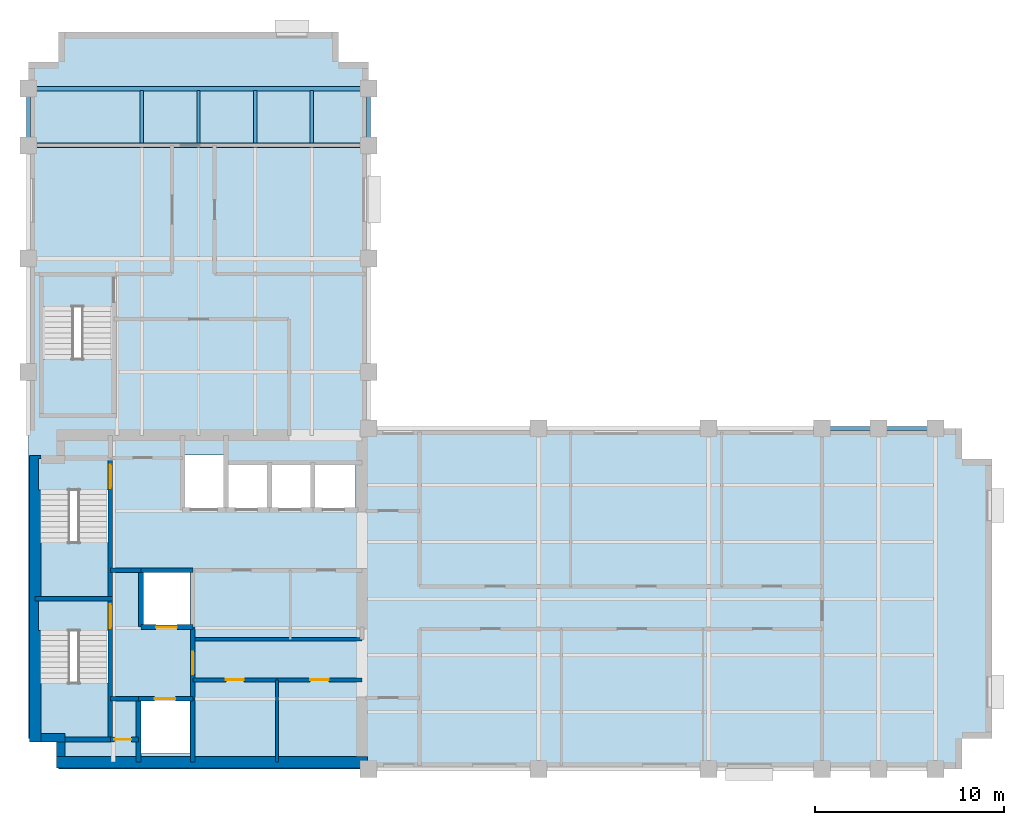
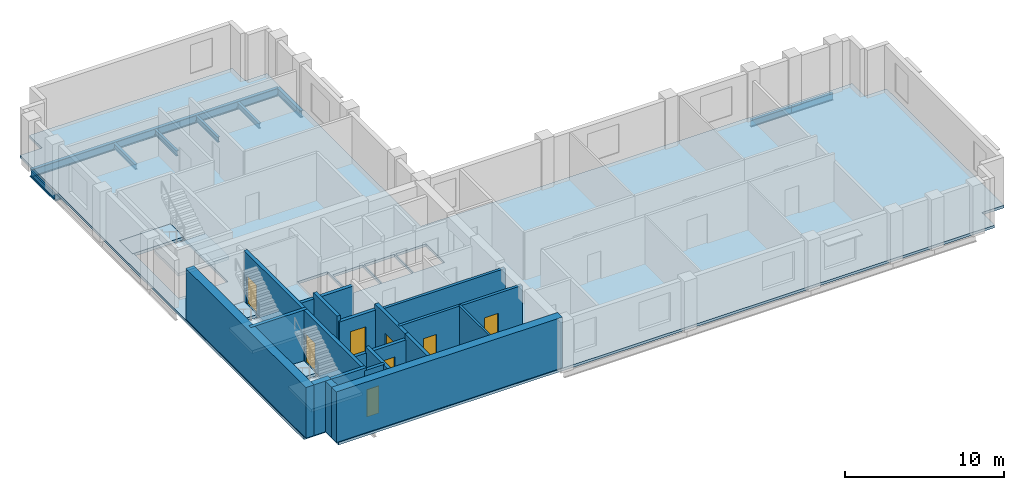
# One storey, part 2 of 6: 22 walls, 10 beams, 8 doors, 7 slabs, 8 openings, 3 elements without a shape of their own.
"""IFC4 building model written with IfcOpenShell, lengths in metres."""

from ifc_helpers import new_model, si_unit, direction, frame, frame_2d, origin, origin_2d, place, context, subcontext, project, spatial, polyline, rectangle, i_section, outline, extrude, material, layer, layer_set, material_profile, profile_set, type_object, element, fill, aggregate, save


model = new_model("IFC4")

# Units and contexts
model_context = context("Model", 3, precision=1e-05, world=origin(), true_north=direction((0.0, 1.0)))
body_context = subcontext(model_context, "Body", "Model", "MODEL_VIEW")
ifc_project = project(units=[si_unit("LENGTHUNIT", "METRE"), si_unit("AREAUNIT", "SQUARE_METRE"), si_unit("VOLUMEUNIT", "CUBIC_METRE"), si_unit("PLANEANGLEUNIT", "RADIAN"), si_unit("MASSUNIT", "GRAM", prefix="KILO")], contexts=[model_context])

# Site, building, storey
site_placement = place(None, origin())
site = spatial("IfcSite", under=ifc_project, at=site_placement, CompositionType="ELEMENT")
building_placement = place(site_placement, origin())
building = spatial("IfcBuilding", under=site, at=building_placement, Name="Mawjdan Bourse Tower", CompositionType="ELEMENT")
storey_placement = place(building_placement, frame((0.0, 0.0, 215.10009765625)))
storey = spatial("IfcBuildingStorey", under=building, at=storey_placement, Name="L52", CompositionType="ELEMENT", Elevation=215.10009765625)

# Beams
ifc_material_1 = material(Name="Structural Steel S355", Category="steel")
ifc_material_profile_1 = material_profile(ifc_material_1, i_section(OverallWidth=0.22998046875, OverallDepth=0.616943359375, WebThickness=0.01318359375, FlangeThickness=0.022216796875, FilletRadius=0.017822265625, at=origin_2d()), Name="W24X94")
ifc_profile_set_1 = profile_set([ifc_material_profile_1], Name="Structural Steel S355")
beam_type_1 = type_object("IfcBeamType", Name="GRD-W24X94", PredefinedType="BEAM", material=ifc_profile_set_1)
for number, where, z_axis, x_axis, name in (
    (1, (6.0, 36.0, -0.508544921875), (1.0, 0.0, 0.0), (0.0, 1.0, 0.0), "L52 North Wing Clear-Span Girder 049"),
    (2, (6.0, 39.0, -0.508544921875), (1.0, 0.0, 0.0), (0.0, 1.0, 0.0), "L52 North Wing Clear-Span Girder 050"),
):
    element("IfcBeam", number, at=place(storey_placement, frame(where, z_axis=z_axis, x_axis=x_axis)), inside=storey, type_object=beam_type_1, Name=name, PredefinedType="BEAM", context=body_context, shape_type="SweptSolid", body=[
        extrude(i_section(OverallWidth=0.22998046875, OverallDepth=0.616943359375, WebThickness=0.01318359375, FlangeThickness=0.022216796875, FilletRadius=0.017822265625, at=origin_2d()), origin(), (0.0, 0.0, 1.0), 18.0),
    ])
ifc_material_profile_2 = material_profile(ifc_material_1, i_section(OverallWidth=0.177978515625, OverallDepth=0.406982421875, WebThickness=0.0078125, FlangeThickness=0.0126953125, FilletRadius=0.01025390625, at=origin_2d()), Name="W16X40")
ifc_profile_set_2 = profile_set([ifc_material_profile_2], Name="Structural Steel S355")
beam_type_2 = type_object("IfcBeamType", Name="JST-W16X40", PredefinedType="JOIST", material=ifc_profile_set_2)
for number, where, z_axis, x_axis, name in (
    (3, (12.0, 36.113037109375, -0.403564453125), (0.0, 1.0, 0.0), (-1.0, 0.0, 0.0), "L52 North Wing Composite Joist 062"),
    (4, (15.0, 36.113037109375, -0.403564453125), (0.0, 1.0, 0.0), (-1.0, 0.0, 0.0), "L52 North Wing Composite Joist 066"),
    (5, (18.0, 36.113037109375, -0.403564453125), (0.0, 1.0, 0.0), (-1.0, 0.0, 0.0), "L52 North Wing Composite Joist 070"),
    (6, (21.0, 36.113037109375, -0.403564453125), (0.0, 1.0, 0.0), (-1.0, 0.0, 0.0), "L52 North Wing Composite Joist 074"),
):
    element("IfcBeam", number, at=place(storey_placement, frame(where, z_axis=z_axis, x_axis=x_axis)), inside=storey, type_object=beam_type_2, Name=name, PredefinedType="JOIST", context=body_context, shape_type="SweptSolid", body=[
        extrude(i_section(OverallWidth=0.177978515625, OverallDepth=0.406982421875, WebThickness=0.0078125, FlangeThickness=0.0126953125, FilletRadius=0.01025390625, at=origin_2d()), origin(), (0.0, 0.0, 1.0), 2.77392578125),
    ])
ifc_material_profile_3 = material_profile(ifc_material_1, i_section(OverallWidth=0.2099609375, OverallDepth=0.537109375, WebThickness=0.010986328125, FlangeThickness=0.017333984375, FilletRadius=0.013916015625, at=origin_2d()), Name="W21X68")
ifc_profile_set_3 = profile_set([ifc_material_profile_3], Name="Structural Steel S355")
beam_type_3 = type_object("IfcBeamType", Name="SPN-W21X68", PredefinedType="SPANDREL", material=ifc_profile_set_3)
for number, where, z_axis, x_axis, name in (
    (7, (48.0, 21.0, -0.468505859375), (1.0, 0.0, 0.0), (0.0, 1.0, 0.0), "L52 Perimeter Masonry-Shelf Spandrel 015"),
    (8, (51.0, 21.0, -0.468505859375), (1.0, 0.0, 0.0), (0.0, 1.0, 0.0), "L52 Perimeter Masonry-Shelf Spandrel 016"),
    (9, (6.0, 36.0, -0.468505859375), (0.0, 1.0, 0.0), (-1.0, 0.0, 0.0), "L52 North Wing Spandrel 054"),
    (10, (24.0, 36.0, -0.468505859375), (0.0, 1.0, 0.0), (-1.0, 0.0, 0.0), "L52 North Wing Spandrel 058"),
):
    element("IfcBeam", number, at=place(storey_placement, frame(where, z_axis=z_axis, x_axis=x_axis)), inside=storey, type_object=beam_type_3, Name=name, PredefinedType="SPANDREL", context=body_context, shape_type="SweptSolid", body=[
        extrude(i_section(OverallWidth=0.2099609375, OverallDepth=0.537109375, WebThickness=0.010986328125, FlangeThickness=0.017333984375, FilletRadius=0.013916015625, at=origin_2d()), origin(), (0.0, 0.0, 1.0), 3.0),
    ])

# Stair, slabs
ifc_material_2 = material(Name="Concrete C50/60", Category="concrete")
stair_type = type_object("IfcStairType", Name="STR-CORE-1500", PredefinedType="HALF_TURN_STAIR", material=ifc_material_2)
stair_1_placement = place(storey_placement, origin())
stair_1 = element("IfcStair", 11, at=stair_1_placement, inside=storey, type_object=stair_type, Name="L52 Exit Stair 1 (Core South-West)", PredefinedType="HALF_TURN_STAIR")
ifc_layer_1 = layer(ifc_material_2, 0.22998046875)
ifc_layer_set_1 = layer_set([ifc_layer_1], Name="Concrete C50/60")
slab_type_1 = type_object("IfcSlabType", Name="SL-LND-230", PredefinedType="LANDING", material=ifc_layer_set_1)
slab_1_placement = place(storey_placement, frame((0.0, 0.0, -0.22998046875)))
slab_1 = element("IfcSlab", 12, at=slab_1_placement, type_object=slab_type_1, Name="ST1-L52 landing 1", PredefinedType="LANDING", context=body_context, shape_type="SweptSolid", body=[
    extrude(outline(polyline([(6.5400390625, 10.31005859375), (10.260009765625, 10.31005859375), (10.260009765625, 11.969970703125), (6.5400390625, 11.969970703125), (6.5400390625, 10.31005859375)])), origin(), (0.0, 0.0, 1.0), 0.22998046875),
])
slab_2_placement = place(storey_placement, frame((0.0, 0.0, 1.719970703125)))
slab_2 = element("IfcSlab", 13, at=slab_2_placement, type_object=slab_type_1, Name="ST1-L52 landing 2", PredefinedType="LANDING", context=body_context, shape_type="SweptSolid", body=[
    extrude(outline(polyline([(6.5400390625, 4.590087890625), (10.260009765625, 4.590087890625), (10.260009765625, 7.5400390625), (6.5400390625, 7.5400390625), (6.5400390625, 4.590087890625)])), origin(), (0.0, 0.0, 1.0), 0.22998046875),
])
aggregate(stair_1, [slab_1, slab_2])

stair_2_placement = place(storey_placement, origin())
stair_2 = element("IfcStair", 14, at=stair_2_placement, inside=storey, type_object=stair_type, Name="L52 Exit Stair 2 (Core North-West)", PredefinedType="HALF_TURN_STAIR")
slab_3_placement = place(storey_placement, frame((0.0, 0.0, -0.22998046875)))
slab_3 = element("IfcSlab", 15, at=slab_3_placement, type_object=slab_type_1, Name="ST2-L52 landing 1", PredefinedType="LANDING", context=body_context, shape_type="SweptSolid", body=[
    extrude(outline(polyline([(6.5400390625, 17.75), (10.260009765625, 17.75), (10.260009765625, 19.409912109375), (6.5400390625, 19.409912109375), (6.5400390625, 17.75)])), origin(), (0.0, 0.0, 1.0), 0.22998046875),
])
slab_4_placement = place(storey_placement, frame((0.0, 0.0, 1.719970703125)))
slab_4 = element("IfcSlab", 16, at=slab_4_placement, type_object=slab_type_1, Name="ST2-L52 landing 2", PredefinedType="LANDING", context=body_context, shape_type="SweptSolid", body=[
    extrude(outline(polyline([(6.5400390625, 12.030029296875), (10.260009765625, 12.030029296875), (10.260009765625, 14.97998046875), (6.5400390625, 14.97998046875), (6.5400390625, 12.030029296875)])), origin(), (0.0, 0.0, 1.0), 0.22998046875),
])
aggregate(stair_2, [slab_3, slab_4])

stair_3_placement = place(storey_placement, origin())
stair_3 = element("IfcStair", 17, at=stair_3_placement, inside=storey, type_object=stair_type, Name="L52 Exit Stair 3 (North Wing)", PredefinedType="HALF_TURN_STAIR")
slab_5_placement = place(storey_placement, frame((0.0, 0.0, -0.22998046875)))
slab_5 = element("IfcSlab", 18, at=slab_5_placement, type_object=slab_type_1, Name="ST3-L52 landing 1", PredefinedType="LANDING", context=body_context, shape_type="SweptSolid", body=[
    extrude(outline(polyline([(6.739990234375, 27.4599609375), (10.4599609375, 27.4599609375), (10.4599609375, 29.1201171875), (6.739990234375, 29.1201171875), (6.739990234375, 27.4599609375)])), origin(), (0.0, 0.0, 1.0), 0.22998046875),
])
slab_6_placement = place(storey_placement, frame((0.0, 0.0, 1.719970703125)))
slab_6 = element("IfcSlab", 19, at=slab_6_placement, type_object=slab_type_1, Name="ST3-L52 landing 2", PredefinedType="LANDING", context=body_context, shape_type="SweptSolid", body=[
    extrude(outline(polyline([(6.739990234375, 21.739990234375), (10.4599609375, 21.739990234375), (10.4599609375, 24.68994140625), (6.739990234375, 24.68994140625), (6.739990234375, 21.739990234375)])), origin(), (0.0, 0.0, 1.0), 0.22998046875),
])
aggregate(stair_3, [slab_5, slab_6])

# Slab
ifc_layer_2 = layer(ifc_material_2, 0.199951171875)
ifc_layer_set_2 = layer_set([ifc_layer_2], Name="Concrete C50/60")
slab_type_2 = type_object("IfcSlabType", Name="SL-OFC-200", PredefinedType="FLOOR", material=ifc_layer_set_2)
slab_7_placement = place(storey_placement, frame((0.0, 0.0, -0.2001953125)))
element("IfcSlab", 20, at=slab_7_placement, inside=storey, type_object=slab_type_2, Name="L52 Structural Floor Slab 1", PredefinedType="FLOOR", context=body_context, shape_type="SweptSolid", body=[
    extrude(outline(polyline([(7.60009765625, 3.0), (55.39990234375, 3.0), (55.39990234375, 4.60009765625), (57.0, 4.60009765625), (57.0, 19.39990234375), (55.39990234375, 19.39990234375), (55.39990234375, 21.0), (24.0, 21.0), (24.0, 40.39990234375), (22.39990234375, 40.39990234375), (22.39990234375, 42.0), (7.60009765625, 42.0), (7.60009765625, 40.39990234375), (6.0, 40.39990234375), (6.0, 4.60009765625), (7.60009765625, 4.60009765625), (7.60009765625, 3.0)]), holes=[polyline([(6.5400390625, 11.969970703125), (10.260009765625, 11.969970703125), (10.260009765625, 10.31005859375), (10.199951171875, 10.31005859375), (10.199951171875, 4.64990234375), (6.60009765625, 4.64990234375), (6.60009765625, 10.31005859375), (6.5400390625, 10.31005859375), (6.5400390625, 11.969970703125)]), polyline([(6.60009765625, 12.090087890625), (6.60009765625, 17.75), (6.5400390625, 17.75), (6.5400390625, 19.409912109375), (10.260009765625, 19.409912109375), (10.260009765625, 17.75), (10.199951171875, 17.75), (10.199951171875, 12.090087890625), (6.60009765625, 12.090087890625)]), polyline([(10.4599609375, 29.1201171875), (10.4599609375, 27.4599609375), (10.39990234375, 27.4599609375), (10.39990234375, 21.800048828125), (6.800048828125, 21.800048828125), (6.800048828125, 27.4599609375), (6.739990234375, 27.4599609375), (6.739990234375, 29.1201171875), (10.4599609375, 29.1201171875)]), polyline([(14.550048828125, 3.800048828125), (11.949951171875, 3.800048828125), (11.949951171875, 6.60009765625), (14.550048828125, 6.60009765625), (14.550048828125, 3.800048828125)]), polyline([(12.050048828125, 10.60009765625), (12.050048828125, 13.39990234375), (14.550048828125, 13.39990234375), (14.550048828125, 10.60009765625), (12.050048828125, 10.60009765625)]), polyline([(16.5, 16.800048828125), (16.5, 19.14990234375), (18.699951171875, 19.14990234375), (18.699951171875, 16.800048828125), (16.5, 16.800048828125)]), polyline([(21.0, 16.800048828125), (18.800048828125, 16.800048828125), (18.800048828125, 19.14990234375), (21.0, 19.14990234375), (21.0, 16.800048828125)]), polyline([(21.10009765625, 16.800048828125), (21.10009765625, 19.14990234375), (23.300048828125, 19.14990234375), (23.300048828125, 16.800048828125), (21.10009765625, 16.800048828125)]), polyline([(14.199951171875, 16.800048828125), (14.199951171875, 19.60009765625), (16.39990234375, 19.60009765625), (16.39990234375, 16.800048828125), (14.199951171875, 16.800048828125)])]), origin(), (0.0, 0.0, 1.0), 0.2001953125),
])

# Wall, opening, door
ifc_material_3 = material(Name="Gypsum Fireboard Assembly")
ifc_layer_3 = layer(ifc_material_3, 0.199951171875)
ifc_layer_set_3 = layer_set([ifc_layer_3], Name="Gypsum Fireboard Assembly")
wall_type_1 = type_object("IfcWallType", Name="WL-CMP-200", PredefinedType="PARTITIONING", material=ifc_layer_set_3)
wall_1_placement = place(storey_placement, frame((14.699951171875, 7.699951171875, 0.0), z_axis=(0.0, 0.0, 1.0), x_axis=(1.0, 0.0, 0.0)))
wall_1 = element("IfcWall", 21, at=wall_1_placement, inside=storey, type_object=wall_type_1, Name="L52 Staff Tea Pantry North Wall", PredefinedType="PARTITIONING", context=body_context, shape_type="SweptSolid", body=[
    extrude(rectangle(XDim=4.449951171875, YDim=0.199951171875, at=frame_2d((2.22509765625, 0.0))), origin(), (0.0, 0.0, 1.0), 3.68994140625),
])
opening_1_placement = place(wall_1_placement, frame((1.75, 0.0, 0.0)))
opening_1 = element("IfcOpeningElement", 22, at=opening_1_placement, cuts=wall_1, Name="Opening D-L52-13", PredefinedType="OPENING", context=body_context, shape_type="SweptSolid", body=[
    extrude(rectangle(XDim=0.949951171875, YDim=2.10009765625, at=frame_2d((0.47509765625, 1.050048828125))), frame((0.0, 0.10986328125, 0.0), z_axis=(0.0, -1.0, 0.0), x_axis=(1.0, 0.0, 0.0)), (0.0, 0.0, 1.0), 0.219970703125),
])
ifc_material_4 = material(Name="Moisture-Resistant Laminate Timber", Category="wood")
door_type_1 = type_object("IfcDoorType", Name="DR-WET-0950", OperationType="NOTDEFINED", PredefinedType="DOOR", material=ifc_material_4)
door_1_placement = place(opening_1_placement, origin())
door_1 = element("IfcDoor", 23, at=door_1_placement, inside=storey, type_object=door_type_1, Name="L52 Staff Tea Pantry Door D-L52-13", OperationType="SINGLE_SWING_LEFT", OverallHeight=2.10009765625, OverallWidth=0.949951171875, PredefinedType="DOOR", context=body_context, shape_type="SweptSolid", body=[
    extrude(rectangle(XDim=0.949951171875, YDim=2.10009765625, at=frame_2d((0.47509765625, 1.050048828125))), frame((0.0, 0.02490234375, 0.0), z_axis=(0.0, -1.0, 0.0), x_axis=(1.0, 0.0, 0.0)), (0.0, 0.0, 1.0), 0.050048828125),
])
fill(opening_1, door_1)

wall_2_placement = place(storey_placement, frame((19.14990234375, 7.699951171875, 0.0), z_axis=(0.0, 0.0, 1.0), x_axis=(1.0, 0.0, 0.0)))
wall_2 = element("IfcWall", 24, at=wall_2_placement, inside=storey, type_object=wall_type_1, Name="L52 Document Custody Office North Wall", PredefinedType="PARTITIONING", context=body_context, shape_type="SweptSolid", body=[
    extrude(rectangle(XDim=4.5, YDim=0.199951171875, at=frame_2d((2.25, 0.0))), origin(), (0.0, 0.0, 1.0), 3.68994140625),
])
opening_2_placement = place(wall_2_placement, frame((1.75, 0.0, 0.0)))
opening_2 = element("IfcOpeningElement", 25, at=opening_2_placement, cuts=wall_2, Name="Opening D-L52-14", PredefinedType="OPENING", context=body_context, shape_type="SweptSolid", body=[
    extrude(rectangle(XDim=1.0, YDim=2.14990234375, at=frame_2d((0.5, 1.074951171875))), frame((0.0, 0.10986328125, 0.0), z_axis=(0.0, -1.0, 0.0), x_axis=(1.0, 0.0, 0.0)), (0.0, 0.0, 1.0), 0.219970703125),
])
ifc_material_5 = material(Name="Hardwood Acoustic Leaf", Category="wood")
door_type_2 = type_object("IfcDoorType", Name="DR-OFC-1000", OperationType="NOTDEFINED", PredefinedType="DOOR", material=ifc_material_5)
door_2_placement = place(opening_2_placement, origin())
door_2 = element("IfcDoor", 26, at=door_2_placement, inside=storey, type_object=door_type_2, Name="L52 Document Custody Office Door D-L52-14", OperationType="SINGLE_SWING_RIGHT", OverallHeight=2.14990234375, OverallWidth=1.0, PredefinedType="DOOR", context=body_context, shape_type="SweptSolid", body=[
    extrude(rectangle(XDim=1.0, YDim=2.14990234375, at=frame_2d((0.5, 1.074951171875))), frame((0.0, 0.02490234375, 0.0), z_axis=(0.0, -1.0, 0.0), x_axis=(1.0, 0.0, 0.0)), (0.0, 0.0, 1.0), 0.050048828125),
])
fill(opening_2, door_2)

# Walls
wall_3_placement = place(storey_placement, frame((14.824951171875, 9.85009765625, 0.0), z_axis=(0.0, 0.0, 1.0), x_axis=(1.0, 0.0, 0.0)))
element("IfcWall", 27, at=wall_3_placement, inside=storey, type_object=wall_type_1, Name="L52 Core Restroom Suite South Wall", PredefinedType="PARTITIONING", context=body_context, shape_type="SweptSolid", body=[
    extrude(rectangle(XDim=8.824951171875, YDim=0.199951171875, at=frame_2d((4.41259765625, 0.0))), origin(), (0.0, 0.0, 1.0), 3.68994140625),
])
ifc_material_6 = material(Name="Concrete C60/75", Category="concrete")
ifc_layer_4 = layer(ifc_material_6, 0.449951171875)
ifc_layer_set_4 = layer_set([ifc_layer_4], Name="Concrete C60/75")
wall_type_2 = type_object("IfcWallType", Name="WL-CORE-450", PredefinedType="SHEAR", material=ifc_layer_set_4)
wall_4_placement = place(storey_placement, frame((6.64990234375, 4.64990234375, 0.0), z_axis=(0.0, 0.0, 1.0), x_axis=(1.0, 0.0, 0.0)))
element("IfcWall", 28, at=wall_4_placement, inside=storey, type_object=wall_type_2, Name="L52 Rear Core Shear Wall SW-X", PredefinedType="SHEAR", context=body_context, shape_type="SweptSolid", body=[
    extrude(rectangle(XDim=1.275146484375, YDim=0.449951171875, at=frame_2d((0.6376953125, 0.0))), origin(), (0.0, 0.0, 1.0), 3.89990234375),
])
wall_5_placement = place(storey_placement, frame((7.699951171875, 3.64990234375, 0.0), z_axis=(0.0, 0.0, 1.0), x_axis=(0.0, 1.0, 0.0)))
element("IfcWall", 29, at=wall_5_placement, inside=storey, type_object=wall_type_2, Name="L52 Rear Core Shear Wall SW-Y", PredefinedType="SHEAR", context=body_context, shape_type="SweptSolid", body=[
    extrude(rectangle(XDim=0.775146484375, YDim=0.449951171875, at=frame_2d((0.3876953125, 0.0))), origin(), (0.0, 0.0, 1.0), 3.89990234375),
])
ifc_material_7 = material(Name="Concrete C70/85", Category="concrete")
ifc_layer_5 = layer(ifc_material_7, 0.60009765625)
ifc_layer_set_5 = layer_set([ifc_layer_5], Name="Concrete C70/85")
wall_type_3 = type_object("IfcWallType", Name="WL-CORE-600", PredefinedType="SHEAR", material=ifc_layer_set_5)
wall_6_placement = place(storey_placement, frame((7.47509765625, 3.35009765625, 0.0), z_axis=(0.0, 0.0, 1.0), x_axis=(1.0, 0.0, 0.0)))
element("IfcWall", 30, at=wall_6_placement, inside=storey, type_object=wall_type_3, Name="L52 Rear Core Shear Wall S", PredefinedType="SHEAR", context=body_context, shape_type="SweptSolid", body=[
    extrude(rectangle(XDim=16.474853515625, YDim=0.60009765625, at=frame_2d((8.2373046875, 0.0))), origin(), (0.0, 0.0, 1.0), 3.89990234375),
])
wall_7_placement = place(storey_placement, frame((6.35009765625, 4.425048828125, 0.0), z_axis=(0.0, 0.0, 1.0), x_axis=(0.0, 1.0, 0.0)))
element("IfcWall", 31, at=wall_7_placement, inside=storey, type_object=wall_type_3, Name="L52 Rear Core Shear Wall W", PredefinedType="SHEAR", context=body_context, shape_type="SweptSolid", body=[
    extrude(rectangle(XDim=15.14990234375, YDim=0.60009765625, at=frame_2d((7.574951171875, 0.0))), origin(), (0.0, 0.0, 1.0), 3.89990234375),
])
ifc_material_8 = material(Name="Gypsum Acoustic Partition")
ifc_layer_6 = layer(ifc_material_8, 0.14990234375)
ifc_layer_set_6 = layer_set([ifc_layer_6], Name="Gypsum Acoustic Partition")
wall_type_4 = type_object("IfcWallType", Name="WL-PRT-150", PredefinedType="PARTITIONING", material=ifc_layer_set_6)
wall_8_placement = place(storey_placement, frame((19.14990234375, 3.35009765625, 0.0), z_axis=(0.0, 0.0, 1.0), x_axis=(0.0, 1.0, 0.0)))
element("IfcWall", 32, at=wall_8_placement, inside=storey, type_object=wall_type_4, Name="L52 Document Custody Office Core Split Wall", PredefinedType="PARTITIONING", context=body_context, shape_type="SweptSolid", body=[
    extrude(rectangle(XDim=4.349853515625, YDim=0.14990234375, at=frame_2d((2.1748046875, 0.0))), origin(), (0.0, 0.0, 1.0), 3.68994140625),
])

# Wall, opening, door
ifc_layer_7 = layer(ifc_material_2, 0.25)
ifc_layer_set_7 = layer_set([ifc_layer_7], Name="Concrete C50/60")
wall_type_5 = type_object("IfcWallType", Name="WL-SHFT-250", PredefinedType="PARTITIONING", material=ifc_layer_set_7)
wall_9_placement = place(storey_placement, frame((10.330078125, 4.550048828125, 0.0), z_axis=(0.0, 0.0, 1.0), x_axis=(1.0, 0.0, 0.0)))
wall_9 = element("IfcWall", 33, at=wall_9_placement, inside=storey, type_object=wall_type_5, Name="L52 SW Riser North Wall", PredefinedType="PARTITIONING", context=body_context, shape_type="SweptSolid", body=[
    extrude(rectangle(XDim=1.489990234375, YDim=0.25, at=frame_2d((0.7451171875, 0.0))), origin(), (0.0, 0.0, 1.0), 3.68994140625),
])
opening_3_placement = place(wall_9_placement, frame((0.219970703125, 0.0, 0.0)))
opening_3 = element("IfcOpeningElement", 34, at=opening_3_placement, cuts=wall_9, Name="Opening RD-L52-03", PredefinedType="OPENING", context=body_context, shape_type="SweptSolid", body=[
    extrude(rectangle(XDim=0.89990234375, YDim=2.10009765625, at=frame_2d((0.449951171875, 1.050048828125))), frame((0.0, 0.135009765625, 0.0), z_axis=(0.0, -1.0, 0.0), x_axis=(1.0, 0.0, 0.0)), (0.0, 0.0, 1.0), 0.27001953125),
])
ifc_material_9 = material(Name="Fire-Rated Steel Access Leaf", Category="steel")
door_type_3 = type_object("IfcDoorType", Name="FD-RSR-0900", OperationType="NOTDEFINED", PredefinedType="TRAPDOOR", material=ifc_material_9)
door_3_placement = place(opening_3_placement, origin())
door_3 = element("IfcDoor", 35, at=door_3_placement, inside=storey, type_object=door_type_3, Name="L52 Electrical Riser Access Door RD-L52-03", OperationType="SINGLE_SWING_LEFT", OverallHeight=2.10009765625, OverallWidth=0.89990234375, PredefinedType="TRAPDOOR", context=body_context, shape_type="SweptSolid", body=[
    extrude(rectangle(XDim=0.89990234375, YDim=2.10009765625, at=frame_2d((0.449951171875, 1.050048828125))), frame((0.0, 0.02490234375, 0.0), z_axis=(0.0, -1.0, 0.0), x_axis=(1.0, 0.0, 0.0)), (0.0, 0.0, 1.0), 0.050048828125),
])
fill(opening_3, door_3)

# Wall
wall_10_placement = place(storey_placement, frame((11.820068359375, 3.35009765625, 0.0), z_axis=(0.0, 0.0, 1.0), x_axis=(0.0, 1.0, 0.0)))
element("IfcWall", 36, at=wall_10_placement, inside=storey, type_object=wall_type_5, Name="L52 SW Riser & FFL01 West Wall", PredefinedType="PARTITIONING", context=body_context, shape_type="SweptSolid", body=[
    extrude(rectangle(XDim=3.349853515625, YDim=0.25, at=frame_2d((1.6748046875, 0.0))), origin(), (0.0, 0.0, 1.0), 3.68994140625),
])

# Wall, opening, door
wall_11_placement = place(storey_placement, frame((11.820068359375, 6.699951171875, 0.0), z_axis=(0.0, 0.0, 1.0), x_axis=(1.0, 0.0, 0.0)))
wall_11 = element("IfcWall", 37, at=wall_11_placement, inside=storey, type_object=wall_type_5, Name="L52 FFL-01 Front Shaft Wall", PredefinedType="PARTITIONING", context=body_context, shape_type="SweptSolid", body=[
    extrude(rectangle(XDim=2.8798828125, YDim=0.25, at=frame_2d((1.43994140625, 0.0))), origin(), (0.0, 0.0, 1.0), 3.282958984375),
])
opening_4_placement = place(wall_11_placement, frame((0.85009765625, 0.0, 0.0)))
opening_4 = element("IfcOpeningElement", 38, at=opening_4_placement, cuts=wall_11, Name="Opening LD-L52-05", PredefinedType="OPENING", context=body_context, shape_type="SweptSolid", body=[
    extrude(rectangle(XDim=1.10009765625, YDim=2.25, at=frame_2d((0.550048828125, 1.125))), frame((0.0, 0.135009765625, 0.0), z_axis=(0.0, -1.0, 0.0), x_axis=(1.0, 0.0, 0.0)), (0.0, 0.0, 1.0), 0.27001953125),
])
ifc_material_10 = material(Name="Brushed Stainless Steel", Category="steel")
door_type_4 = type_object("IfcDoorType", Name="LD-FFL-1100", OperationType="DOUBLE_DOOR_SLIDING", PredefinedType="DOOR", material=ifc_material_10)
door_4_placement = place(opening_4_placement, origin())
door_4 = element("IfcDoor", 39, at=door_4_placement, inside=storey, type_object=door_type_4, Name="L52 Firefighting Lift FFL-01 Landing Door LD-L52-05", OperationType="DOUBLE_DOOR_SLIDING", OverallHeight=2.25, OverallWidth=1.10009765625, PredefinedType="DOOR", context=body_context, shape_type="SweptSolid", body=[
    extrude(rectangle(XDim=1.10009765625, YDim=2.25, at=frame_2d((0.550048828125, 1.125))), frame((0.0, 0.02490234375, 0.0), z_axis=(0.0, -1.0, 0.0), x_axis=(1.0, 0.0, 0.0)), (0.0, 0.0, 1.0), 0.050048828125),
])
fill(opening_4, door_4)

# Wall
wall_12_placement = place(storey_placement, frame((14.699951171875, 3.35009765625, 0.0), z_axis=(0.0, 0.0, 1.0), x_axis=(0.0, 1.0, 0.0)))
element("IfcWall", 40, at=wall_12_placement, inside=storey, type_object=wall_type_5, Name="L52 FFL-01 East Shaft Wall", PredefinedType="PARTITIONING", context=body_context, shape_type="SweptSolid", body=[
    extrude(rectangle(XDim=3.349853515625, YDim=0.25, at=frame_2d((1.6748046875, 0.0))), origin(), (0.0, 0.0, 1.0), 3.68994140625),
])

# Wall, opening, door
wall_13_placement = place(storey_placement, frame((11.949951171875, 10.5, 0.0), z_axis=(0.0, 0.0, 1.0), x_axis=(1.0, 0.0, 0.0)))
wall_13 = element("IfcWall", 41, at=wall_13_placement, inside=storey, type_object=wall_type_5, Name="L52 FFL-02 Front Shaft Wall", PredefinedType="PARTITIONING", context=body_context, shape_type="SweptSolid", body=[
    extrude(rectangle(XDim=2.75, YDim=0.25, at=frame_2d((1.375, 0.0))), origin(), (0.0, 0.0, 1.0), 3.282958984375),
])
opening_5_placement = place(wall_13_placement, frame((0.800048828125, 0.0, 0.0)))
opening_5 = element("IfcOpeningElement", 42, at=opening_5_placement, cuts=wall_13, Name="Opening LD-L52-06", PredefinedType="OPENING", context=body_context, shape_type="SweptSolid", body=[
    extrude(rectangle(XDim=1.10009765625, YDim=2.25, at=frame_2d((0.550048828125, 1.125))), frame((0.0, 0.135009765625, 0.0), z_axis=(0.0, -1.0, 0.0), x_axis=(1.0, 0.0, 0.0)), (0.0, 0.0, 1.0), 0.27001953125),
])
door_5_placement = place(opening_5_placement, origin())
door_5 = element("IfcDoor", 43, at=door_5_placement, inside=storey, type_object=door_type_4, Name="L52 Firefighting Lift FFL-02 Landing Door LD-L52-06", OperationType="DOUBLE_DOOR_SLIDING", OverallHeight=2.25, OverallWidth=1.10009765625, PredefinedType="DOOR", context=body_context, shape_type="SweptSolid", body=[
    extrude(rectangle(XDim=1.10009765625, YDim=2.25, at=frame_2d((0.550048828125, 1.125))), frame((0.0, 0.02490234375, 0.0), z_axis=(0.0, -1.0, 0.0), x_axis=(1.0, 0.0, 0.0)), (0.0, 0.0, 1.0), 0.050048828125),
])
fill(opening_5, door_5)

# Walls
wall_14_placement = place(storey_placement, frame((11.949951171875, 10.5, 0.0), z_axis=(0.0, 0.0, 1.0), x_axis=(0.0, 1.0, 0.0)))
element("IfcWall", 44, at=wall_14_placement, inside=storey, type_object=wall_type_5, Name="L52 FFL-02 West Shaft Wall", PredefinedType="PARTITIONING", context=body_context, shape_type="SweptSolid", body=[
    extrude(rectangle(XDim=3.0, YDim=0.25, at=frame_2d((1.5, 0.0))), origin(), (0.0, 0.0, 1.0), 3.68994140625),
])
wall_15_placement = place(storey_placement, frame((11.949951171875, 13.5, 0.0), z_axis=(0.0, 0.0, 1.0), x_axis=(1.0, 0.0, 0.0)))
element("IfcWall", 45, at=wall_15_placement, inside=storey, type_object=wall_type_5, Name="L52 FFL-02 North Shaft Wall", PredefinedType="PARTITIONING", context=body_context, shape_type="SweptSolid", body=[
    extrude(rectangle(XDim=2.75, YDim=0.25, at=frame_2d((1.375, 0.0))), origin(), (0.0, 0.0, 1.0), 3.282958984375),
])

# Wall, opening, door
wall_16_placement = place(storey_placement, frame((14.699951171875, 6.699951171875, 0.0), z_axis=(0.0, 0.0, 1.0), x_axis=(0.0, 1.0, 0.0)))
wall_16 = element("IfcWall", 46, at=wall_16_placement, inside=storey, type_object=wall_type_5, Name="L52 Firefighting Lobby East Compartment Wall", PredefinedType="PARTITIONING", context=body_context, shape_type="SweptSolid", body=[
    extrude(rectangle(XDim=3.800048828125, YDim=0.25, at=frame_2d((1.89990234375, 0.0))), origin(), (0.0, 0.0, 1.0), 3.68994140625),
])
opening_6_placement = place(wall_16_placement, frame((1.300048828125, 0.0, 0.0)))
opening_6 = element("IfcOpeningElement", 47, at=opening_6_placement, cuts=wall_16, Name="Opening FD-L52-07", PredefinedType="OPENING", context=body_context, shape_type="SweptSolid", body=[
    extrude(rectangle(XDim=1.199951171875, YDim=2.199951171875, at=frame_2d((0.60009765625, 1.10009765625))), frame((0.0, 0.135009765625, 0.0), z_axis=(0.0, -1.0, 0.0), x_axis=(1.0, 0.0, 0.0)), (0.0, 0.0, 1.0), 0.27001953125),
])
ifc_material_11 = material(Name="Fire-Rated Steel Leaf", Category="steel")
door_type_5 = type_object("IfcDoorType", Name="FD-FFL-1200", OperationType="NOTDEFINED", PredefinedType="DOOR", material=ifc_material_11)
door_6_placement = place(opening_6_placement, origin())
door_6 = element("IfcDoor", 48, at=door_6_placement, inside=storey, type_object=door_type_5, Name="L52 Firefighting Lobby East Smoke Door FD-L52-07", OperationType="SINGLE_SWING_LEFT", OverallHeight=2.199951171875, OverallWidth=1.199951171875, PredefinedType="DOOR", context=body_context, shape_type="SweptSolid", body=[
    extrude(rectangle(XDim=1.199951171875, YDim=2.199951171875, at=frame_2d((0.60009765625, 1.10009765625))), frame((0.0, 0.02490234375, 0.0), z_axis=(0.0, -1.0, 0.0), x_axis=(1.0, 0.0, 0.0)), (0.0, 0.0, 1.0), 0.050048828125),
])
fill(opening_6, door_6)

# Walls
wall_17_placement = place(storey_placement, frame((10.330078125, 13.5, 0.0), z_axis=(0.0, 0.0, 1.0), x_axis=(1.0, 0.0, 0.0)))
element("IfcWall", 49, at=wall_17_placement, inside=storey, type_object=wall_type_5, Name="L52 Firefighting Lobby North Compartment Wall", PredefinedType="PARTITIONING", context=body_context, shape_type="SweptSolid", body=[
    extrude(rectangle(XDim=1.619873046875, YDim=0.25, at=frame_2d((0.81005859375, 0.0))), origin(), (0.0, 0.0, 1.0), 3.282958984375),
])
wall_18_placement = place(storey_placement, frame((10.330078125, 6.699951171875, 0.0), z_axis=(0.0, 0.0, 1.0), x_axis=(1.0, 0.0, 0.0)))
element("IfcWall", 50, at=wall_18_placement, inside=storey, type_object=wall_type_5, Name="L52 Firefighting Lobby South Closure Wall", PredefinedType="PARTITIONING", context=body_context, shape_type="SweptSolid", body=[
    extrude(rectangle(XDim=1.489990234375, YDim=0.25, at=frame_2d((0.7451171875, 0.0))), origin(), (0.0, 0.0, 1.0), 3.282958984375),
])
ifc_layer_8 = layer(ifc_material_2, 0.25)
ifc_layer_set_8 = layer_set([ifc_layer_8], Name="Concrete C50/60")
wall_type_6 = type_object("IfcWallType", Name="WL-STRW-250", PredefinedType="SHEAR", material=ifc_layer_set_8)
wall_19_placement = place(storey_placement, frame((6.35009765625, 12.0, 0.0), z_axis=(0.0, 0.0, 1.0), x_axis=(1.0, 0.0, 0.0)))
element("IfcWall", 51, at=wall_19_placement, inside=storey, type_object=wall_type_6, Name="L52 Stairwell Dividing Shaft Wall", PredefinedType="SHEAR", context=body_context, shape_type="SweptSolid", body=[
    extrude(rectangle(XDim=4.10498046875, YDim=0.25, at=frame_2d((2.052490234375, 0.0))), origin(), (0.0, 0.0, 1.0), 3.89990234375),
])
wall_20_placement = place(storey_placement, frame((7.699951171875, 4.550048828125, 0.0), z_axis=(0.0, 0.0, 1.0), x_axis=(1.0, 0.0, 0.0)))
element("IfcWall", 52, at=wall_20_placement, inside=storey, type_object=wall_type_6, Name="L52 Stairwell ST1 South Shaft Wall", PredefinedType="SHEAR", context=body_context, shape_type="SweptSolid", body=[
    extrude(rectangle(XDim=2.755126953125, YDim=0.25, at=frame_2d((1.37744140625, 0.0))), origin(), (0.0, 0.0, 1.0), 3.89990234375),
])

# Wall, opening, door
wall_21_placement = place(storey_placement, frame((10.330078125, 4.550048828125, 0.0), z_axis=(0.0, 0.0, 1.0), x_axis=(0.0, 1.0, 0.0)))
wall_21 = element("IfcWall", 53, at=wall_21_placement, inside=storey, type_object=wall_type_6, Name="L52 Stairwell ST1 East Enclosure Wall", PredefinedType="SHEAR", context=body_context, shape_type="SweptSolid", body=[
    extrude(rectangle(XDim=7.449951171875, YDim=0.25, at=frame_2d((3.72509765625, 0.0))), origin(), (0.0, 0.0, 1.0), 3.89990234375),
])
opening_7_placement = place(wall_21_placement, frame((5.89990234375, 0.0, 0.0)))
opening_7 = element("IfcOpeningElement", 54, at=opening_7_placement, cuts=wall_21, Name="Opening SD-L52-01", PredefinedType="OPENING", context=body_context, shape_type="SweptSolid", body=[
    extrude(rectangle(XDim=1.25, YDim=2.199951171875, at=frame_2d((0.625, 1.10009765625))), frame((0.0, 0.135009765625, 0.0), z_axis=(0.0, -1.0, 0.0), x_axis=(1.0, 0.0, 0.0)), (0.0, 0.0, 1.0), 0.27001953125),
])
door_type_6 = type_object("IfcDoorType", Name="FD-ST-1250", OperationType="NOTDEFINED", PredefinedType="DOOR", material=ifc_material_11)
door_7_placement = place(opening_7_placement, origin())
door_7 = element("IfcDoor", 55, at=door_7_placement, inside=storey, type_object=door_type_6, Name="L52 Exit Stair ST1 Fire Door SD-L52-01", OperationType="SINGLE_SWING_LEFT", OverallHeight=2.199951171875, OverallWidth=1.25, PredefinedType="DOOR", context=body_context, shape_type="SweptSolid", body=[
    extrude(rectangle(XDim=1.25, YDim=2.199951171875, at=frame_2d((0.625, 1.10009765625))), frame((0.0, 0.02490234375, 0.0), z_axis=(0.0, -1.0, 0.0), x_axis=(1.0, 0.0, 0.0)), (0.0, 0.0, 1.0), 0.050048828125),
])
fill(opening_7, door_7)

wall_22_placement = place(storey_placement, frame((10.330078125, 12.0, 0.0), z_axis=(0.0, 0.0, 1.0), x_axis=(0.0, 1.0, 0.0)))
wall_22 = element("IfcWall", 56, at=wall_22_placement, inside=storey, type_object=wall_type_6, Name="L52 Stairwell ST2 East Enclosure Wall", PredefinedType="SHEAR", context=body_context, shape_type="SweptSolid", body=[
    extrude(rectangle(XDim=7.449951171875, YDim=0.25, at=frame_2d((3.72509765625, 0.0))), origin(), (0.0, 0.0, 1.0), 3.89990234375),
])
opening_8_placement = place(wall_22_placement, frame((5.85009765625, 0.0, 0.0)))
opening_8 = element("IfcOpeningElement", 57, at=opening_8_placement, cuts=wall_22, Name="Opening SD-L52-02", PredefinedType="OPENING", context=body_context, shape_type="SweptSolid", body=[
    extrude(rectangle(XDim=1.25, YDim=2.199951171875, at=frame_2d((0.625, 1.10009765625))), frame((0.0, 0.135009765625, 0.0), z_axis=(0.0, -1.0, 0.0), x_axis=(1.0, 0.0, 0.0)), (0.0, 0.0, 1.0), 0.27001953125),
])
door_8_placement = place(opening_8_placement, origin())
door_8 = element("IfcDoor", 58, at=door_8_placement, inside=storey, type_object=door_type_6, Name="L52 Exit Stair ST2 Fire Door SD-L52-02", OperationType="SINGLE_SWING_RIGHT", OverallHeight=2.199951171875, OverallWidth=1.25, PredefinedType="DOOR", context=body_context, shape_type="SweptSolid", body=[
    extrude(rectangle(XDim=1.25, YDim=2.199951171875, at=frame_2d((0.625, 1.10009765625))), frame((0.0, 0.02490234375, 0.0), z_axis=(0.0, -1.0, 0.0), x_axis=(1.0, 0.0, 0.0)), (0.0, 0.0, 1.0), 0.050048828125),
])
fill(opening_8, door_8)

save(model, "model.ifc")
